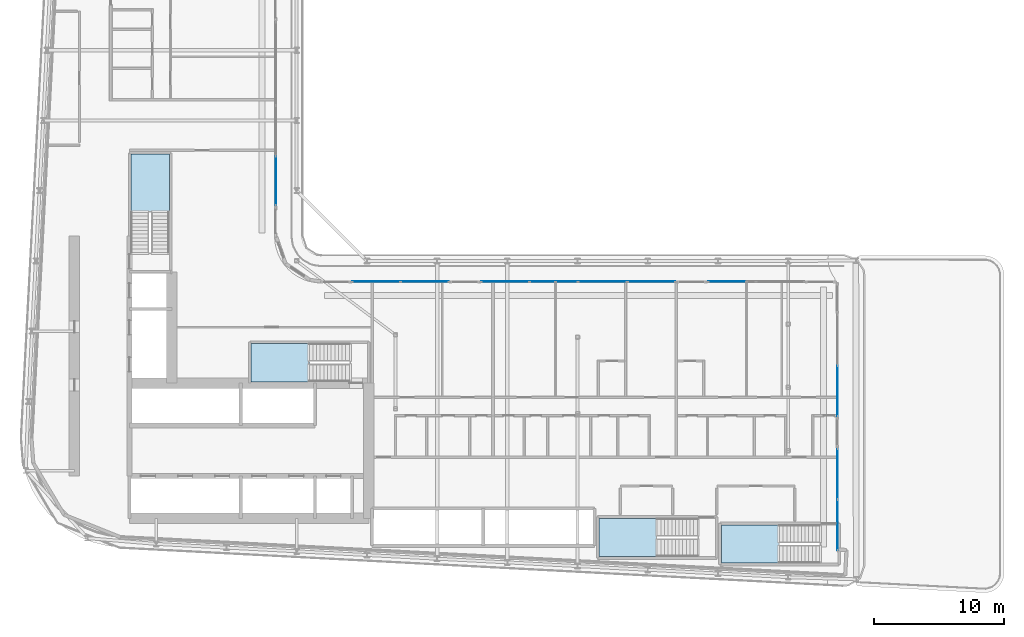
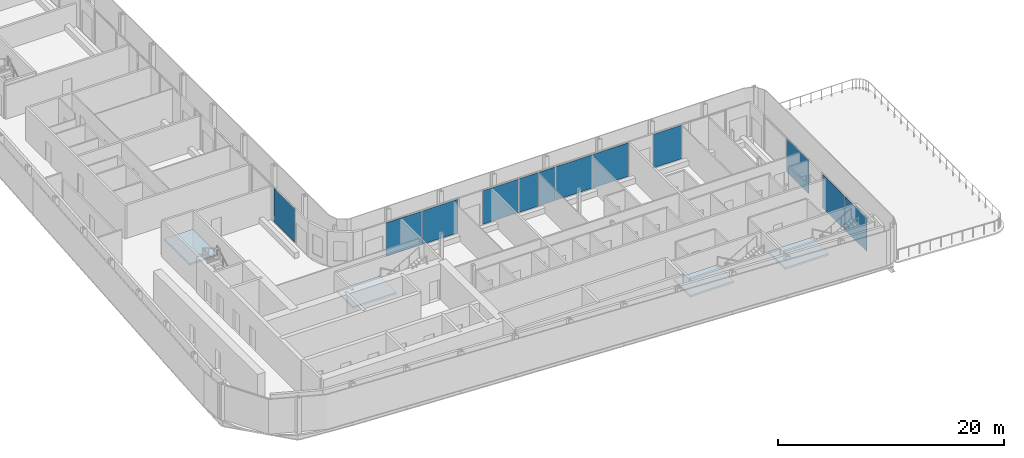
# One storey, part 9 of 27: 12 plates, 4 slabs, 11 elements without a shape of their own.
"""IFC4 building model written with IfcOpenShell, lengths in metres."""

from ifc_helpers import new_model, si_unit, direction, frame, origin, origin_2d, place, context, subcontext, project, spatial, polyline, rectangle, outline, extrude, material, layer, layer_set, type_object, element, aggregate, save


model = new_model("IFC4")

# Units and contexts
model_context = context("Model", 3, precision=1e-05, world=origin(), true_north=direction((0.0, 1.0)))
body_context = subcontext(model_context, "Body", "Model", "MODEL_VIEW")
ifc_project = project(units=[si_unit("LENGTHUNIT", "METRE"), si_unit("AREAUNIT", "SQUARE_METRE"), si_unit("VOLUMEUNIT", "CUBIC_METRE"), si_unit("PLANEANGLEUNIT", "RADIAN"), si_unit("MASSUNIT", "GRAM", prefix="KILO")], contexts=[model_context])

# Site, building, storey
site_placement = place(None, origin())
site = spatial("IfcSite", under=ifc_project, at=site_placement, CompositionType="ELEMENT")
building_placement = place(site_placement, origin())
building = spatial("IfcBuilding", under=site, at=building_placement, Name="Kheshtan School and Residences Tower", CompositionType="ELEMENT")
storey_placement = place(building_placement, frame((0.0, 0.0, 152.60009765625)))
storey = spatial("IfcBuildingStorey", under=building, at=storey_placement, Name="L35", CompositionType="ELEMENT", Elevation=152.60009765625)

# Curtain wall, plate
ifc_material_1 = material(Name="Clear low-e glass in thermally broken aluminium frame", Category="aluminium")
ifc_layer_1 = layer(ifc_material_1, 0.199951171875)
ifc_layer_set_1 = layer_set([ifc_layer_1], Name="Curtain wall CW-L")
curtain_wall_type = type_object("IfcCurtainWallType", Name="Curtain wall CW-L", PredefinedType="NOTDEFINED", material=ifc_layer_set_1)
curtain_wall_1_placement = place(storey_placement, origin())
curtain_wall_1 = element("IfcCurtainWall", 1, at=curtain_wall_1_placement, inside=storey, type_object=curtain_wall_type, Name="Curtain wall CWL8", PredefinedType="NOTDEFINED")
ifc_layer_2 = layer(ifc_material_1, 0.031982421875)
ifc_layer_set_2 = layer_set([ifc_layer_2], Name="CW-L glass panel")
plate_type = type_object("IfcPlateType", Name="CW-L glass panel", PredefinedType="CURTAIN_PANEL", material=ifc_layer_set_2)
plate_1_placement = place(storey_placement, frame((46.0, 51.7685546875, 0.0), z_axis=(0.0, 0.0, 1.0), x_axis=(0.0, -1.0, 0.0)))
plate_1 = element("IfcPlate", 2, at=plate_1_placement, type_object=plate_type, Name="CWL8 panel 2.1", PredefinedType="CURTAIN_PANEL", context=body_context, shape_type="SweptSolid", body=[
    extrude(rectangle(XDim=3.757080078125, YDim=0.031982421875, at=origin_2d()), origin(), (0.0, 0.0, 1.0), 3.6298828125),
])
aggregate(curtain_wall_1, [plate_1])

# Curtain wall, plates
curtain_wall_2_placement = place(storey_placement, origin())
curtain_wall_2 = element("IfcCurtainWall", 3, at=curtain_wall_2_placement, inside=storey, type_object=curtain_wall_type, Name="Curtain wall CWL12a", PredefinedType="NOTDEFINED")
plate_2_placement = place(storey_placement, frame((53.724365234375, 44.0, 0.0), z_axis=(0.0, 0.0, 1.0), x_axis=(1.0, 0.0, 0.0)))
plate_2 = element("IfcPlate", 4, at=plate_2_placement, type_object=plate_type, Name="CWL12a panel 1.1", PredefinedType="CURTAIN_PANEL", context=body_context, shape_type="SweptSolid", body=[
    extrude(rectangle(XDim=3.668701171875, YDim=0.031982421875, at=origin_2d()), origin(), (0.0, 0.0, 1.0), 3.6298828125),
])
plate_3_placement = place(storey_placement, frame((57.453125, 44.0, 0.0), z_axis=(0.0, 0.0, 1.0), x_axis=(1.0, 0.0, 0.0)))
plate_3 = element("IfcPlate", 5, at=plate_3_placement, type_object=plate_type, Name="CWL12a panel 2.1", PredefinedType="CURTAIN_PANEL", context=body_context, shape_type="SweptSolid", body=[
    extrude(rectangle(XDim=3.668701171875, YDim=0.031982421875, at=origin_2d()), origin(), (0.0, 0.0, 1.0), 3.6298828125),
])
aggregate(curtain_wall_2, [plate_2, plate_3])

curtain_wall_3_placement = place(storey_placement, origin())
curtain_wall_3 = element("IfcCurtainWall", 6, at=curtain_wall_3_placement, inside=storey, type_object=curtain_wall_type, Name="Curtain wall CWL12", PredefinedType="NOTDEFINED")
plate_4_placement = place(storey_placement, frame((63.641845703125, 44.0, 0.0), z_axis=(0.0, 0.0, 1.0), x_axis=(1.0, 0.0, 0.0)))
plate_4 = element("IfcPlate", 7, at=plate_4_placement, type_object=plate_type, Name="CWL12 panel 1.1", PredefinedType="CURTAIN_PANEL", context=body_context, shape_type="SweptSolid", body=[
    extrude(rectangle(XDim=3.668701171875, YDim=0.031982421875, at=origin_2d()), origin(), (0.0, 0.0, 1.0), 3.6298828125),
])
plate_5_placement = place(storey_placement, frame((66.503173828125, 44.0, 0.0), z_axis=(0.0, 0.0, 1.0), x_axis=(1.0, 0.0, 0.0)))
plate_5 = element("IfcPlate", 8, at=plate_5_placement, type_object=plate_type, Name="CWL12 panel 2.1", PredefinedType="CURTAIN_PANEL", context=body_context, shape_type="SweptSolid", body=[
    extrude(rectangle(XDim=1.933837890625, YDim=0.031982421875, at=origin_2d()), origin(), (0.0, 0.0, 1.0), 3.6298828125),
])
plate_6_placement = place(storey_placement, frame((68.367431640625, 44.0, 0.0), z_axis=(0.0, 0.0, 1.0), x_axis=(1.0, 0.0, 0.0)))
plate_6 = element("IfcPlate", 9, at=plate_6_placement, type_object=plate_type, Name="CWL12 panel 3.1", PredefinedType="CURTAIN_PANEL", context=body_context, shape_type="SweptSolid", body=[
    extrude(rectangle(XDim=1.675048828125, YDim=0.031982421875, at=origin_2d()), origin(), (0.0, 0.0, 1.0), 3.6298828125),
])
aggregate(curtain_wall_3, [plate_4, plate_5, plate_6])

curtain_wall_4_placement = place(storey_placement, origin())
curtain_wall_4 = element("IfcCurtainWall", 10, at=curtain_wall_4_placement, inside=storey, type_object=curtain_wall_type, Name="Curtain wall CWL12a", PredefinedType="NOTDEFINED")
plate_7_placement = place(storey_placement, frame((71.12939453125, 44.0, 0.0), z_axis=(0.0, 0.0, 1.0), x_axis=(1.0, 0.0, 0.0)))
plate_7 = element("IfcPlate", 11, at=plate_7_placement, type_object=plate_type, Name="CWL12a panel 1.1", PredefinedType="CURTAIN_PANEL", context=body_context, shape_type="SweptSolid", body=[
    extrude(rectangle(XDim=3.728759765625, YDim=0.031982421875, at=origin_2d()), origin(), (0.0, 0.0, 1.0), 3.6298828125),
])
plate_8_placement = place(storey_placement, frame((74.88818359375, 44.0, 0.0), z_axis=(0.0, 0.0, 1.0), x_axis=(1.0, 0.0, 0.0)))
plate_8 = element("IfcPlate", 12, at=plate_8_placement, type_object=plate_type, Name="CWL12a panel 2.1", PredefinedType="CURTAIN_PANEL", context=body_context, shape_type="SweptSolid", body=[
    extrude(rectangle(XDim=3.668701171875, YDim=0.031982421875, at=origin_2d()), origin(), (0.0, 0.0, 1.0), 3.6298828125),
])
aggregate(curtain_wall_4, [plate_7, plate_8])

# Curtain wall, plate
curtain_wall_5_placement = place(storey_placement, origin())
curtain_wall_5 = element("IfcCurtainWall", 13, at=curtain_wall_5_placement, inside=storey, type_object=curtain_wall_type, Name="Curtain wall CWL12", PredefinedType="NOTDEFINED")
plate_9_placement = place(storey_placement, frame((80.706298828125, 44.0, 0.0), z_axis=(0.0, 0.0, 1.0), x_axis=(1.0, 0.0, 0.0)))
plate_9 = element("IfcPlate", 14, at=plate_9_placement, type_object=plate_type, Name="CWL12 panel 1.1", PredefinedType="CURTAIN_PANEL", context=body_context, shape_type="SweptSolid", body=[
    extrude(rectangle(XDim=2.927490234375, YDim=0.031982421875, at=origin_2d()), origin(), (0.0, 0.0, 1.0), 3.6298828125),
])
aggregate(curtain_wall_5, [plate_9])

curtain_wall_6_placement = place(storey_placement, origin())
curtain_wall_6 = element("IfcCurtainWall", 15, at=curtain_wall_6_placement, inside=storey, type_object=curtain_wall_type, Name="Curtain wall CWL13", PredefinedType="NOTDEFINED")
plate_10_placement = place(storey_placement, frame((89.199951171875, 35.583740234375, 0.0), z_axis=(0.0, 0.0, 1.0), x_axis=(0.0, -1.0, 0.0)))
plate_10 = element("IfcPlate", 16, at=plate_10_placement, type_object=plate_type, Name="CWL13 panel 2.1", PredefinedType="CURTAIN_PANEL", context=body_context, shape_type="SweptSolid", body=[
    extrude(rectangle(XDim=3.8642578125, YDim=0.031982421875, at=origin_2d()), origin(), (0.0, 0.0, 1.0), 3.6298828125),
])
aggregate(curtain_wall_6, [plate_10])

# Curtain wall, plates
curtain_wall_7_placement = place(storey_placement, origin())
curtain_wall_7 = element("IfcCurtainWall", 17, at=curtain_wall_7_placement, inside=storey, type_object=curtain_wall_type, Name="Curtain wall CWL13", PredefinedType="NOTDEFINED")
plate_11_placement = place(storey_placement, frame((89.199951171875, 29.199462890625, 0.0), z_axis=(0.0, 0.0, 1.0), x_axis=(0.0, -1.0, 0.0)))
plate_11 = element("IfcPlate", 18, at=plate_11_placement, type_object=plate_type, Name="CWL13 panel 1.1", PredefinedType="CURTAIN_PANEL", context=body_context, shape_type="SweptSolid", body=[
    extrude(rectangle(XDim=3.8642578125, YDim=0.031982421875, at=origin_2d()), origin(), (0.0, 0.0, 1.0), 3.6298828125),
])
plate_12_placement = place(storey_placement, frame((89.199951171875, 25.275146484375, 0.0), z_axis=(0.0, 0.0, 1.0), x_axis=(0.0, -1.0, 0.0)))
plate_12 = element("IfcPlate", 19, at=plate_12_placement, type_object=plate_type, Name="CWL13 panel 2.1", PredefinedType="CURTAIN_PANEL", context=body_context, shape_type="SweptSolid", body=[
    extrude(rectangle(XDim=3.8642578125, YDim=0.031982421875, at=origin_2d()), origin(), (0.0, 0.0, 1.0), 3.6298828125),
])
aggregate(curtain_wall_7, [plate_11, plate_12])

# Stair, slab
ifc_material_2 = material(Name="Concrete C40/50", Category="concrete")
stair_type = type_object("IfcStairType", Name="Exit stair, half-turn", PredefinedType="HALF_TURN_STAIR", material=ifc_material_2)
stair_1_placement = place(storey_placement, origin())
stair_1 = element("IfcStair", 20, at=stair_1_placement, inside=storey, type_object=stair_type, Name="L35 Protected Exit Stair ST1", PredefinedType="HALF_TURN_STAIR")
ifc_layer_3 = layer(ifc_material_2, 0.199951171875)
ifc_layer_set_3 = layer_set([ifc_layer_3], Name="Stair landing 200 Concrete C40/50")
slab_type = type_object("IfcSlabType", Name="Stair landing 200 Concrete C40/50", PredefinedType="LANDING", material=ifc_layer_set_3)
slab_1_placement = place(storey_placement, frame((0.0, 0.0, 1.75)))
slab_1 = element("IfcSlab", 21, at=slab_1_placement, type_object=slab_type, Name="ST1 landing 1", PredefinedType="LANDING", context=body_context, shape_type="SweptSolid", body=[
    extrude(outline(polyline([(48.570068359375, 39.25), (44.090087890625, 39.25), (44.090087890625, 36.300048828125), (48.570068359375, 36.300048828125), (48.570068359375, 39.25)])), origin(), (0.0, 0.0, 1.0), 0.199951171875),
])
aggregate(stair_1, [slab_1])

stair_2_placement = place(storey_placement, origin())
stair_2 = element("IfcStair", 22, at=stair_2_placement, inside=storey, type_object=stair_type, Name="L35 Protected Exit Stair ST2", PredefinedType="HALF_TURN_STAIR")
slab_2_placement = place(storey_placement, frame((0.0, 0.0, 1.75)))
slab_2 = element("IfcSlab", 23, at=slab_2_placement, type_object=slab_type, Name="ST2 landing 1", PredefinedType="LANDING", context=body_context, shape_type="SweptSolid", body=[
    extrude(outline(polyline([(37.800048828125, 49.330078125), (37.800048828125, 53.81005859375), (34.85009765625, 53.81005859375), (34.85009765625, 49.330078125), (37.800048828125, 49.330078125)])), origin(), (0.0, 0.0, 1.0), 0.199951171875),
])
aggregate(stair_2, [slab_2])

stair_3_placement = place(storey_placement, origin())
stair_3 = element("IfcStair", 24, at=stair_3_placement, inside=storey, type_object=stair_type, Name="L35 Protected Exit Stair ST4", PredefinedType="HALF_TURN_STAIR")
slab_3_placement = place(storey_placement, frame((0.0, 0.0, 1.75)))
slab_3 = element("IfcSlab", 25, at=slab_3_placement, type_object=slab_type, Name="ST4 landing 1", PredefinedType="LANDING", context=body_context, shape_type="SweptSolid", body=[
    extrude(outline(polyline([(84.739990234375, 25.300048828125), (80.260009765625, 25.300048828125), (80.260009765625, 22.35009765625), (84.739990234375, 22.35009765625), (84.739990234375, 25.300048828125)])), origin(), (0.0, 0.0, 1.0), 0.199951171875),
])
aggregate(stair_3, [slab_3])

stair_4_placement = place(storey_placement, origin())
stair_4 = element("IfcStair", 26, at=stair_4_placement, inside=storey, type_object=stair_type, Name="L35 Protected Exit Stair ST5", PredefinedType="HALF_TURN_STAIR")
slab_4_placement = place(storey_placement, frame((0.0, 0.0, 1.75)))
slab_4 = element("IfcSlab", 27, at=slab_4_placement, type_object=slab_type, Name="ST5 landing 1", PredefinedType="LANDING", context=body_context, shape_type="SweptSolid", body=[
    extrude(outline(polyline([(75.330078125, 25.800048828125), (70.85009765625, 25.800048828125), (70.85009765625, 22.85009765625), (75.330078125, 22.85009765625), (75.330078125, 25.800048828125)])), origin(), (0.0, 0.0, 1.0), 0.199951171875),
])
aggregate(stair_4, [slab_4])

save(model, "model.ifc")
